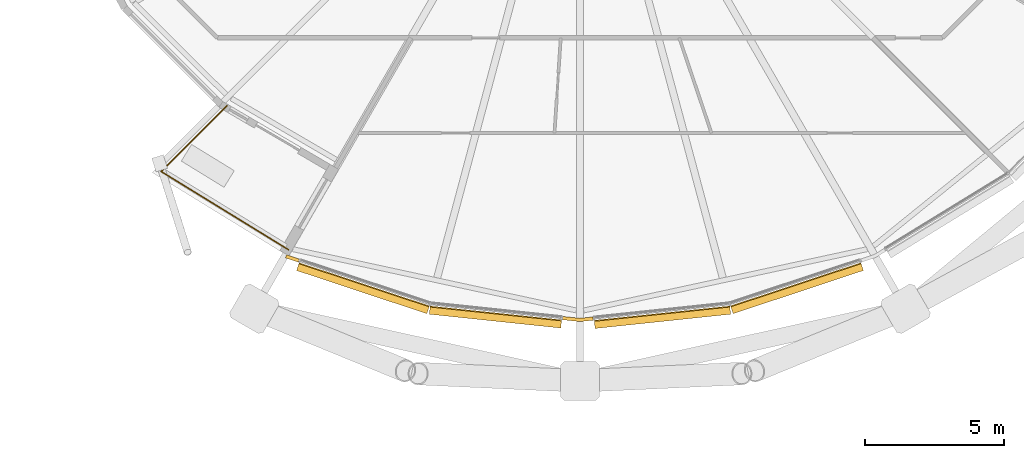
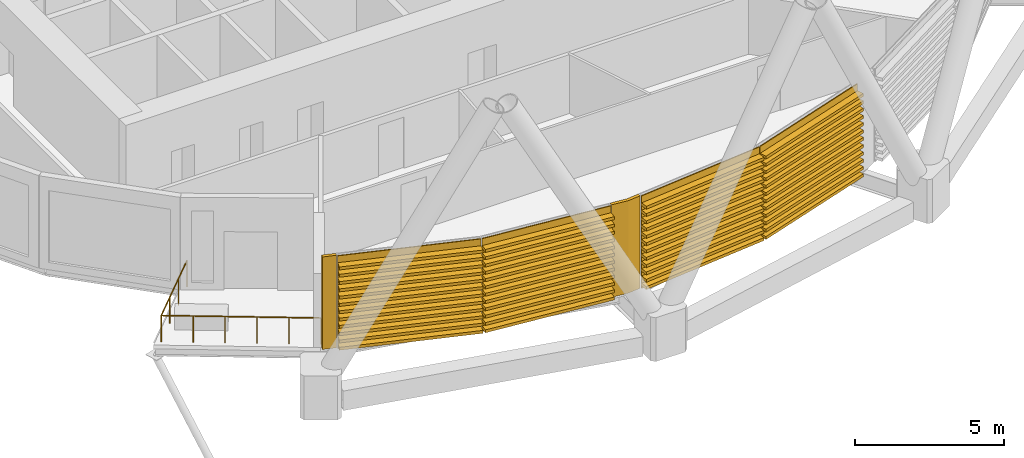
# One storey, part 34 of 40: 6 coverings, 1 railing.
"""IFC4 building model written with IfcOpenShell, lengths in metres."""

from ifc_helpers import new_model, si_unit, direction, frame, origin, origin_2d, place, context, subcontext, project, spatial, polyline, circle, outline, extrude, material, layer, layer_set, material_profile, profile_set, type_object, element, save


model = new_model("IFC4")

# Units and contexts
model_context = context("Model", 3, precision=1e-05, world=origin(), true_north=direction((0.0, 1.0)))
body_context = subcontext(model_context, "Body", "Model", "MODEL_VIEW")
ifc_project = project(units=[si_unit("LENGTHUNIT", "METRE"), si_unit("AREAUNIT", "SQUARE_METRE"), si_unit("VOLUMEUNIT", "CUBIC_METRE"), si_unit("PLANEANGLEUNIT", "RADIAN"), si_unit("MASSUNIT", "GRAM", prefix="KILO")], contexts=[model_context])

# Site, building, storey
site_placement = place(None, origin())
site = spatial("IfcSite", under=ifc_project, at=site_placement, CompositionType="ELEMENT")
building_placement = place(site_placement, origin())
building = spatial("IfcBuilding", under=site, at=building_placement, Name="Rimbun Link Towers", CompositionType="ELEMENT")
storey_placement = place(building_placement, frame((0.0, 0.0, 52.800048828125)))
storey = spatial("IfcBuildingStorey", under=building, at=storey_placement, Name="L12", CompositionType="ELEMENT", Elevation=52.800048828125)

# Railing
ifc_material_1 = material(Name="Stainless steel grade 316", Category="steel")
railing_type = type_object("IfcRailingType", Name="GUARD stainless rail and posts", PredefinedType="GUARDRAIL", material=ifc_material_1)
railing_placement = place(storey_placement, frame((-44.428466796875, -12.96142578125, 0.0)))
element("IfcRailing", 1, at=railing_placement, inside=storey, type_object=railing_type, Name="GUARD", PredefinedType="GUARDRAIL", context=body_context, shape_type="SweptSolid", body=[
    extrude(circle(Radius=0.02392578125, at=origin_2d()), frame((0.0, 0.0, 1.076171875), z_axis=(-0.707106781187, -0.707106781187, 0.0), x_axis=(0.707106781187, -0.707106781187, 0.0)), (0.0, 0.0, 1.0), 3.3466796875),
    extrude(circle(Radius=0.02392578125, at=origin_2d()), frame((-2.366455078125, -2.366455078125, 1.076171875), z_axis=(0.852183667169, -0.523242771006, 0.0), x_axis=(0.523242771006, 0.852183667169, 0.0)), (0.0, 0.0, 1.0), 5.372802734375),
    extrude(circle(Radius=0.02099609375, at=origin_2d()), origin(), (0.0, 0.0, 1.0), 1.052001953125),
    extrude(circle(Radius=0.02099609375, at=origin_2d()), frame((-0.788818359375, -0.788818359375, 0.0)), (0.0, 0.0, 1.0), 1.052001953125),
    extrude(circle(Radius=0.02099609375, at=origin_2d()), frame((-1.57763671875, -1.57763671875, 0.0)), (0.0, 0.0, 1.0), 1.052001953125),
    extrude(circle(Radius=0.02099609375, at=origin_2d()), frame((-2.366455078125, -2.366455078125, 0.0)), (0.0, 0.0, 1.0), 1.052001953125),
    extrude(circle(Radius=0.02099609375, at=origin_2d()), frame((-1.45068359375, -2.9287109375, 0.0)), (0.0, 0.0, 1.0), 1.052001953125),
    extrude(circle(Radius=0.02099609375, at=origin_2d()), frame((-0.534912109375, -3.490966796875, 0.0)), (0.0, 0.0, 1.0), 1.052001953125),
    extrude(circle(Radius=0.02099609375, at=origin_2d()), frame((0.380615234375, -4.05322265625, 0.0)), (0.0, 0.0, 1.0), 1.052001953125),
    extrude(circle(Radius=0.02099609375, at=origin_2d()), frame((1.29638671875, -4.615478515625, 0.0)), (0.0, 0.0, 1.0), 1.052001953125),
    extrude(circle(Radius=0.02099609375, at=origin_2d()), frame((2.212158203125, -5.177734375, 0.0)), (0.0, 0.0, 1.0), 1.052001953125),
])

# Coverings
ifc_material_2 = material(Name="Terracotta", Category="masonry")
ifc_layer = layer(ifc_material_2, 0.1201171875)
ifc_layer_set = layer_set([ifc_layer], Name="LINK PIER terracotta cladding 120")
covering_type_1 = type_object("IfcCoveringType", Name="LINK PIER terracotta cladding 120", PredefinedType="CLADDING", material=ifc_layer_set)
covering_1_placement = place(storey_placement, origin())
element("IfcCovering", 2, at=covering_1_placement, inside=storey, type_object=covering_type_1, Name="LINK PIER cladding", PredefinedType="CLADDING", context=body_context, shape_type="SweptSolid", body=[
    extrude(outline(polyline([(-41.827392578125, -18.47314453125), (-42.29248046875, -18.31884765625), (-42.330322265625, -18.432861328125), (-41.865234375, -18.5869140625), (-41.827392578125, -18.47314453125)])), origin(), (0.0, 0.0, 1.0), 3.800048828125),
])
covering_2_placement = place(storey_placement, origin())
element("IfcCovering", 3, at=covering_2_placement, inside=storey, type_object=covering_type_1, Name="LINK PIER cladding", PredefinedType="CLADDING", context=body_context, shape_type="SweptSolid", body=[
    extrude(outline(polyline([(-31.282470703125, -20.5498046875), (-31.75, -20.59912109375), (-32.36669921875, -20.5341796875), (-32.379150390625, -20.653564453125), (-31.75, -20.7197265625), (-31.27001953125, -20.669189453125), (-31.282470703125, -20.5498046875)])), origin(), (0.0, 0.0, 1.0), 3.800048828125),
])
ifc_material_3 = material(Name="Terracotta", Category="masonry")
ifc_material_profile = material_profile(ifc_material_3, outline(polyline([(0.123046875, 0.0), (0.1630859375, 0.0), (0.1630859375, 0.10009765625), (0.423095703125, 0.10009765625), (0.423095703125, 0.219970703125), (0.1630859375, 0.219970703125), (0.1630859375, 0.39990234375), (0.423095703125, 0.39990234375), (0.423095703125, 0.52001953125), (0.1630859375, 0.52001953125), (0.1630859375, 0.699951171875), (0.423095703125, 0.699951171875), (0.423095703125, 0.820068359375), (0.1630859375, 0.820068359375), (0.1630859375, 1.0), (0.423095703125, 1.0), (0.423095703125, 1.1201171875), (0.1630859375, 1.1201171875), (0.1630859375, 1.300048828125), (0.423095703125, 1.300048828125), (0.423095703125, 1.419921875), (0.1630859375, 1.419921875), (0.1630859375, 1.60009765625), (0.423095703125, 1.60009765625), (0.423095703125, 1.719970703125), (0.1630859375, 1.719970703125), (0.1630859375, 1.89990234375), (0.423095703125, 1.89990234375), (0.423095703125, 2.02001953125), (0.1630859375, 2.02001953125), (0.1630859375, 2.199951171875), (0.423095703125, 2.199951171875), (0.423095703125, 2.320068359375), (0.1630859375, 2.320068359375), (0.1630859375, 2.5), (0.423095703125, 2.5), (0.423095703125, 2.6201171875), (0.1630859375, 2.6201171875), (0.1630859375, 2.800048828125), (0.423095703125, 2.800048828125), (0.423095703125, 2.919921875), (0.1630859375, 2.919921875), (0.1630859375, 3.10009765625), (0.423095703125, 3.10009765625), (0.423095703125, 3.219970703125), (0.1630859375, 3.219970703125), (0.1630859375, 3.39990234375), (0.423095703125, 3.39990234375), (0.423095703125, 3.52001953125), (0.1630859375, 3.52001953125), (0.1630859375, 3.800048828125), (0.123046875, 3.800048828125), (0.123046875, 0.0)])), Name="BAGUETTE 120X300")
ifc_profile_set = profile_set([ifc_material_profile], Name="Terracotta")
covering_type_2 = type_object("IfcCoveringType", Name="TERRACOTTA BAGUETTE 120X300 H3800", PredefinedType="CLADDING", material=ifc_profile_set)
covering_3_placement = place(storey_placement, frame((-37.117919921875, -20.03369140625, 0.0), z_axis=(-0.949231412739, 0.314578646875, 0.0), x_axis=(-0.314578646875, -0.949231412739, 0.0)))
element("IfcCovering", 4, at=covering_3_placement, inside=storey, type_object=covering_type_2, Name="TERRACOTTA BAGUETTE", PredefinedType="CLADDING", context=body_context, shape_type="SweptSolid", body=[
    extrude(outline(polyline([(0.123046875, 0.0), (0.1630859375, 0.0), (0.1630859375, 0.10009765625), (0.423095703125, 0.10009765625), (0.423095703125, 0.219970703125), (0.1630859375, 0.219970703125), (0.1630859375, 0.39990234375), (0.423095703125, 0.39990234375), (0.423095703125, 0.52001953125), (0.1630859375, 0.52001953125), (0.1630859375, 0.699951171875), (0.423095703125, 0.699951171875), (0.423095703125, 0.820068359375), (0.1630859375, 0.820068359375), (0.1630859375, 1.0), (0.423095703125, 1.0), (0.423095703125, 1.1201171875), (0.1630859375, 1.1201171875), (0.1630859375, 1.300048828125), (0.423095703125, 1.300048828125), (0.423095703125, 1.419921875), (0.1630859375, 1.419921875), (0.1630859375, 1.60009765625), (0.423095703125, 1.60009765625), (0.423095703125, 1.719970703125), (0.1630859375, 1.719970703125), (0.1630859375, 1.89990234375), (0.423095703125, 1.89990234375), (0.423095703125, 2.02001953125), (0.1630859375, 2.02001953125), (0.1630859375, 2.199951171875), (0.423095703125, 2.199951171875), (0.423095703125, 2.320068359375), (0.1630859375, 2.320068359375), (0.1630859375, 2.5), (0.423095703125, 2.5), (0.423095703125, 2.6201171875), (0.1630859375, 2.6201171875), (0.1630859375, 2.800048828125), (0.423095703125, 2.800048828125), (0.423095703125, 2.919921875), (0.1630859375, 2.919921875), (0.1630859375, 3.10009765625), (0.423095703125, 3.10009765625), (0.423095703125, 3.219970703125), (0.1630859375, 3.219970703125), (0.1630859375, 3.39990234375), (0.423095703125, 3.39990234375), (0.423095703125, 3.52001953125), (0.1630859375, 3.52001953125), (0.1630859375, 3.800048828125), (0.123046875, 3.800048828125), (0.123046875, 0.0)])), origin(), (0.0, 0.0, 1.0), 4.93115234375),
])
covering_4_placement = place(storey_placement, frame((-32.396484375, -20.531005859375, 0.0), z_axis=(-0.994498406218, 0.104751706576, 0.0), x_axis=(-0.104751706576, -0.994498406218, 0.0)))
element("IfcCovering", 5, at=covering_4_placement, inside=storey, type_object=covering_type_2, Name="TERRACOTTA BAGUETTE", PredefinedType="CLADDING", context=body_context, shape_type="SweptSolid", body=[
    extrude(outline(polyline([(0.123046875, 0.0), (0.1630859375, 0.0), (0.1630859375, 0.10009765625), (0.423095703125, 0.10009765625), (0.423095703125, 0.219970703125), (0.1630859375, 0.219970703125), (0.1630859375, 0.39990234375), (0.423095703125, 0.39990234375), (0.423095703125, 0.52001953125), (0.1630859375, 0.52001953125), (0.1630859375, 0.699951171875), (0.423095703125, 0.699951171875), (0.423095703125, 0.820068359375), (0.1630859375, 0.820068359375), (0.1630859375, 1.0), (0.423095703125, 1.0), (0.423095703125, 1.1201171875), (0.1630859375, 1.1201171875), (0.1630859375, 1.300048828125), (0.423095703125, 1.300048828125), (0.423095703125, 1.419921875), (0.1630859375, 1.419921875), (0.1630859375, 1.60009765625), (0.423095703125, 1.60009765625), (0.423095703125, 1.719970703125), (0.1630859375, 1.719970703125), (0.1630859375, 1.89990234375), (0.423095703125, 1.89990234375), (0.423095703125, 2.02001953125), (0.1630859375, 2.02001953125), (0.1630859375, 2.199951171875), (0.423095703125, 2.199951171875), (0.423095703125, 2.320068359375), (0.1630859375, 2.320068359375), (0.1630859375, 2.5), (0.423095703125, 2.5), (0.423095703125, 2.6201171875), (0.1630859375, 2.6201171875), (0.1630859375, 2.800048828125), (0.423095703125, 2.800048828125), (0.423095703125, 2.919921875), (0.1630859375, 2.919921875), (0.1630859375, 3.10009765625), (0.423095703125, 3.10009765625), (0.423095703125, 3.219970703125), (0.1630859375, 3.219970703125), (0.1630859375, 3.39990234375), (0.423095703125, 3.39990234375), (0.423095703125, 3.52001953125), (0.1630859375, 3.52001953125), (0.1630859375, 3.800048828125), (0.123046875, 3.800048828125), (0.123046875, 0.0)])), origin(), (0.0, 0.0, 1.0), 4.74755859375),
])
covering_5_placement = place(storey_placement, frame((-26.382080078125, -20.03369140625, 0.0), z_axis=(-0.994500261874, -0.104734087729, 0.0), x_axis=(0.104734087729, -0.994500261874, 0.0)))
element("IfcCovering", 6, at=covering_5_placement, inside=storey, type_object=covering_type_2, Name="TERRACOTTA BAGUETTE", PredefinedType="CLADDING", context=body_context, shape_type="SweptSolid", body=[
    extrude(outline(polyline([(0.123046875, 0.0), (0.1630859375, 0.0), (0.1630859375, 0.10009765625), (0.423095703125, 0.10009765625), (0.423095703125, 0.219970703125), (0.1630859375, 0.219970703125), (0.1630859375, 0.39990234375), (0.423095703125, 0.39990234375), (0.423095703125, 0.52001953125), (0.1630859375, 0.52001953125), (0.1630859375, 0.699951171875), (0.423095703125, 0.699951171875), (0.423095703125, 0.820068359375), (0.1630859375, 0.820068359375), (0.1630859375, 1.0), (0.423095703125, 1.0), (0.423095703125, 1.1201171875), (0.1630859375, 1.1201171875), (0.1630859375, 1.300048828125), (0.423095703125, 1.300048828125), (0.423095703125, 1.419921875), (0.1630859375, 1.419921875), (0.1630859375, 1.60009765625), (0.423095703125, 1.60009765625), (0.423095703125, 1.719970703125), (0.1630859375, 1.719970703125), (0.1630859375, 1.89990234375), (0.423095703125, 1.89990234375), (0.423095703125, 2.02001953125), (0.1630859375, 2.02001953125), (0.1630859375, 2.199951171875), (0.423095703125, 2.199951171875), (0.423095703125, 2.320068359375), (0.1630859375, 2.320068359375), (0.1630859375, 2.5), (0.423095703125, 2.5), (0.423095703125, 2.6201171875), (0.1630859375, 2.6201171875), (0.1630859375, 2.800048828125), (0.423095703125, 2.800048828125), (0.423095703125, 2.919921875), (0.1630859375, 2.919921875), (0.1630859375, 3.10009765625), (0.423095703125, 3.10009765625), (0.423095703125, 3.219970703125), (0.1630859375, 3.219970703125), (0.1630859375, 3.39990234375), (0.423095703125, 3.39990234375), (0.423095703125, 3.52001953125), (0.1630859375, 3.52001953125), (0.1630859375, 3.800048828125), (0.123046875, 3.800048828125), (0.123046875, 0.0)])), origin(), (0.0, 0.0, 1.0), 4.8974609375),
])
covering_6_placement = place(storey_placement, frame((-21.701171875, -18.482421875, 0.0), z_axis=(-0.949231412739, -0.314578646875, 0.0), x_axis=(0.314578646875, -0.949231412739, 0.0)))
element("IfcCovering", 7, at=covering_6_placement, inside=storey, type_object=covering_type_2, Name="TERRACOTTA BAGUETTE", PredefinedType="CLADDING", context=body_context, shape_type="SweptSolid", body=[
    extrude(outline(polyline([(0.123046875, 0.0), (0.1630859375, 0.0), (0.1630859375, 0.10009765625), (0.423095703125, 0.10009765625), (0.423095703125, 0.219970703125), (0.1630859375, 0.219970703125), (0.1630859375, 0.39990234375), (0.423095703125, 0.39990234375), (0.423095703125, 0.52001953125), (0.1630859375, 0.52001953125), (0.1630859375, 0.699951171875), (0.423095703125, 0.699951171875), (0.423095703125, 0.820068359375), (0.1630859375, 0.820068359375), (0.1630859375, 1.0), (0.423095703125, 1.0), (0.423095703125, 1.1201171875), (0.1630859375, 1.1201171875), (0.1630859375, 1.300048828125), (0.423095703125, 1.300048828125), (0.423095703125, 1.419921875), (0.1630859375, 1.419921875), (0.1630859375, 1.60009765625), (0.423095703125, 1.60009765625), (0.423095703125, 1.719970703125), (0.1630859375, 1.719970703125), (0.1630859375, 1.89990234375), (0.423095703125, 1.89990234375), (0.423095703125, 2.02001953125), (0.1630859375, 2.02001953125), (0.1630859375, 2.199951171875), (0.423095703125, 2.199951171875), (0.423095703125, 2.320068359375), (0.1630859375, 2.320068359375), (0.1630859375, 2.5), (0.423095703125, 2.5), (0.423095703125, 2.6201171875), (0.1630859375, 2.6201171875), (0.1630859375, 2.800048828125), (0.423095703125, 2.800048828125), (0.423095703125, 2.919921875), (0.1630859375, 2.919921875), (0.1630859375, 3.10009765625), (0.423095703125, 3.10009765625), (0.423095703125, 3.219970703125), (0.1630859375, 3.219970703125), (0.1630859375, 3.39990234375), (0.423095703125, 3.39990234375), (0.423095703125, 3.52001953125), (0.1630859375, 3.52001953125), (0.1630859375, 3.800048828125), (0.123046875, 3.800048828125), (0.123046875, 0.0)])), origin(), (0.0, 0.0, 1.0), 4.93115234375),
])

save(model, "model.ifc")
